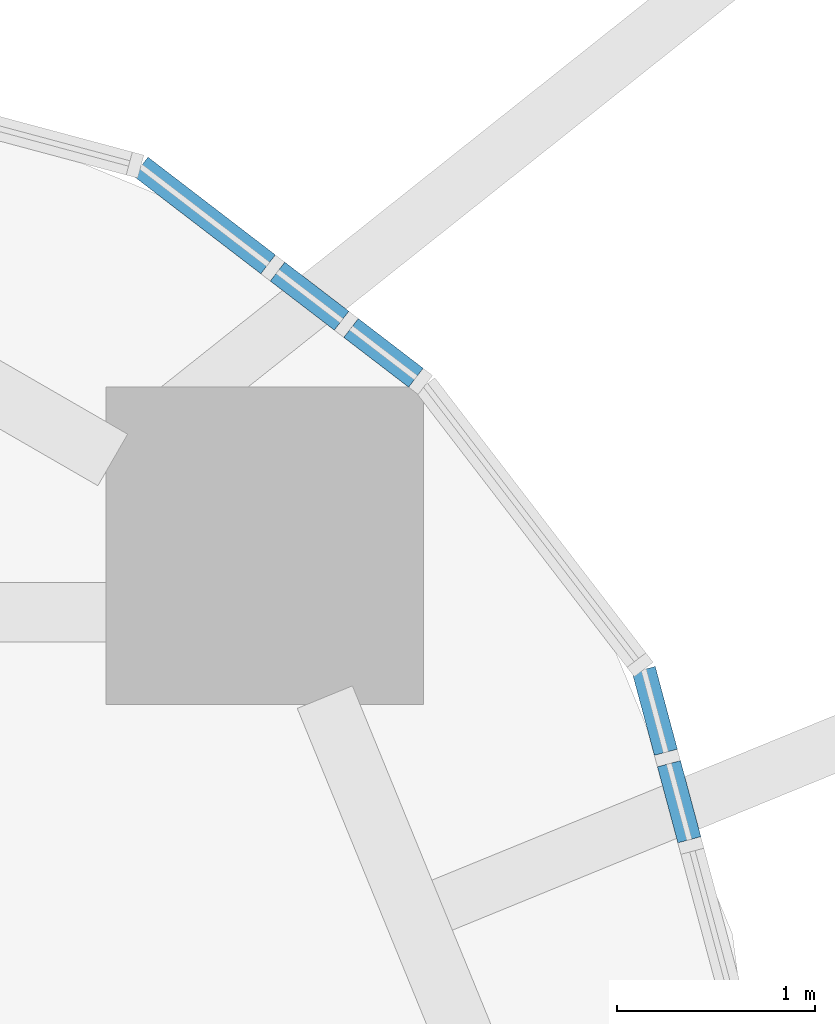
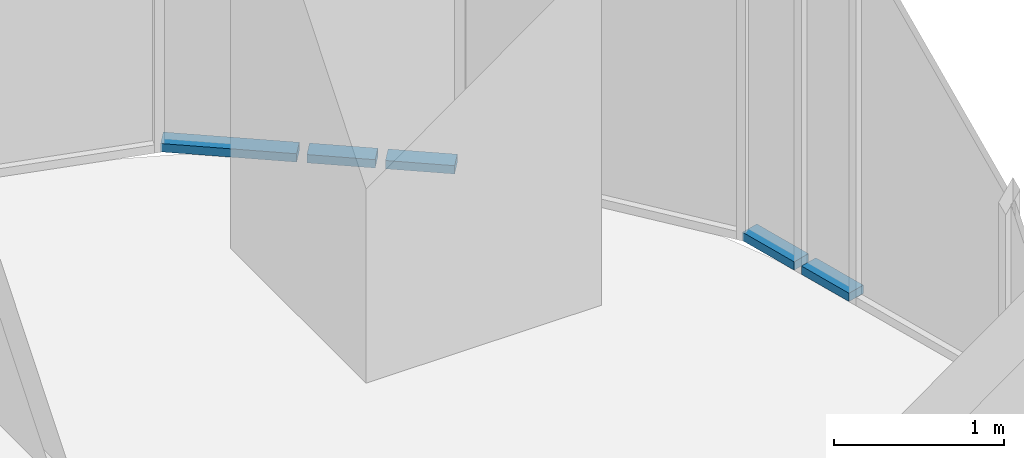
# One storey, part 18 of 36: 5 members, 5 elements without a shape of their own.
"""IFC4 building model written with IfcOpenShell, lengths in metres."""

from ifc_helpers import new_model, si_unit, direction, frame, origin, origin_2d, place, context, subcontext, project, spatial, rectangle, extrude, material, layer, layer_set, material_profile, profile_set, type_object, element, aggregate, save


model = new_model("IFC4")

# Units and contexts
model_context = context("Model", 3, precision=1e-05, world=origin(), true_north=direction((0.0, 1.0)))
body_context = subcontext(model_context, "Body", "Model", "MODEL_VIEW")
ifc_project = project(units=[si_unit("LENGTHUNIT", "METRE"), si_unit("AREAUNIT", "SQUARE_METRE"), si_unit("VOLUMEUNIT", "CUBIC_METRE"), si_unit("PLANEANGLEUNIT", "RADIAN"), si_unit("MASSUNIT", "GRAM", prefix="KILO")], contexts=[model_context])

# Site, building, storey
site_placement = place(None, origin())
site = spatial("IfcSite", under=ifc_project, at=site_placement, CompositionType="ELEMENT")
building_placement = place(site_placement, origin())
building = spatial("IfcBuilding", under=site, at=building_placement, Name="Marenta Gate Hotel Tower", CompositionType="ELEMENT")
storey_placement = place(building_placement, frame((0.0, 0.0, 115.699951171875)))
storey = spatial("IfcBuildingStorey", under=building, at=storey_placement, Name="L25", CompositionType="ELEMENT", Elevation=115.699951171875)

# Curtain wall, member
ifc_material_1 = material(Name="Tinted insulated glass in bronze anodised frame", Category="glass")
ifc_layer = layer(ifc_material_1, 0.1201171875)
ifc_layer_set = layer_set([ifc_layer], Name="Tinted insulated glass in bronze anodised frame")
curtain_wall_type = type_object("IfcCurtainWallType", Name="Tower unitised curtain wall CW1", PredefinedType="NOTDEFINED", material=ifc_layer_set)
curtain_wall_1_placement = place(storey_placement, origin())
curtain_wall_1 = element("IfcCurtainWall", 1, at=curtain_wall_1_placement, inside=storey, type_object=curtain_wall_type, Name="CW1 run G37", PredefinedType="NOTDEFINED")
ifc_material_2 = material(Name="Bronze anodised aluminium", Category="aluminium")
ifc_material_profile = material_profile(ifc_material_2, rectangle(XDim=0.1201171875, YDim=0.06005859375, at=origin_2d()), Name="Transom CW1 60x120 bronze anodised aluminium")
ifc_profile_set = profile_set([ifc_material_profile], Name="Bronze anodised aluminium")
member_type = type_object("IfcMemberType", Name="Transom CW1 60x120 bronze anodised aluminium", PredefinedType="USERDEFINED", material=ifc_profile_set)
member_1_placement = place(storey_placement, frame((26.97607421875, 24.053466796875, 0.030029296875), z_axis=(-0.259156577662, 0.965835321499, 0.0), x_axis=(-0.965835321499, -0.259156577662, 0.0)))
member_1 = element("IfcMember", 2, at=member_1_placement, type_object=member_type, Name="CW1 transom 1.1", ObjectType="TRANSOM", PredefinedType="USERDEFINED", context=body_context, shape_type="SweptSolid", body=[
    extrude(rectangle(XDim=0.1201171875, YDim=0.06005859375, at=origin_2d()), origin(), (0.0, 0.0, 1.0), 0.396728515625),
])
aggregate(curtain_wall_1, [member_1])

curtain_wall_2_placement = place(storey_placement, origin())
curtain_wall_2 = element("IfcCurtainWall", 3, at=curtain_wall_2_placement, inside=storey, type_object=curtain_wall_type, Name="CW1 run G38", PredefinedType="NOTDEFINED")
member_2_placement = place(storey_placement, frame((26.857666015625, 24.49462890625, 0.030029296875), z_axis=(-0.258613509278, 0.965980876011, 0.0), x_axis=(-0.965980876011, -0.258613509278, 0.0)))
member_2 = element("IfcMember", 4, at=member_2_placement, type_object=member_type, Name="CW1 transom 1.1", ObjectType="TRANSOM", PredefinedType="USERDEFINED", context=body_context, shape_type="SweptSolid", body=[
    extrude(rectangle(XDim=0.1201171875, YDim=0.06005859375, at=origin_2d()), origin(), (0.0, 0.0, 1.0), 0.431396484375),
])
aggregate(curtain_wall_2, [member_2])

curtain_wall_3_placement = place(storey_placement, origin())
curtain_wall_3 = element("IfcCurtainWall", 5, at=curtain_wall_3_placement, inside=storey, type_object=curtain_wall_type, Name="CW1 run G40", PredefinedType="NOTDEFINED")
member_3_placement = place(storey_placement, frame((25.597900390625, 26.382080078125, 0.030029296875), z_axis=(-0.793482352244, 0.608593260459, 0.0), x_axis=(-0.608593260459, -0.793482352244, 0.0)))
member_3 = element("IfcMember", 6, at=member_3_placement, type_object=member_type, Name="CW1 transom 1.1", ObjectType="TRANSOM", PredefinedType="USERDEFINED", context=body_context, shape_type="SweptSolid", body=[
    extrude(rectangle(XDim=0.1201171875, YDim=0.06005859375, at=origin_2d()), origin(), (0.0, 0.0, 1.0), 0.411865234375),
])
aggregate(curtain_wall_3, [member_3])

curtain_wall_4_placement = place(storey_placement, origin())
curtain_wall_4 = element("IfcCurtainWall", 7, at=curtain_wall_4_placement, inside=storey, type_object=curtain_wall_type, Name="CW1 run G41", PredefinedType="NOTDEFINED")
member_4_placement = place(storey_placement, frame((25.223388671875, 26.66943359375, 0.030029296875), z_axis=(-0.793471096038, 0.608607935992, 0.0), x_axis=(-0.608607935992, -0.793471096038, 0.0)))
member_4 = element("IfcMember", 8, at=member_4_placement, type_object=member_type, Name="CW1 transom 1.1", ObjectType="TRANSOM", PredefinedType="USERDEFINED", context=body_context, shape_type="SweptSolid", body=[
    extrude(rectangle(XDim=0.1201171875, YDim=0.06005859375, at=origin_2d()), origin(), (0.0, 0.0, 1.0), 0.40673828125),
])
aggregate(curtain_wall_4, [member_4])

curtain_wall_5_placement = place(storey_placement, origin())
curtain_wall_5 = element("IfcCurtainWall", 9, at=curtain_wall_5_placement, inside=storey, type_object=curtain_wall_type, Name="CW1 run G42", PredefinedType="NOTDEFINED")
member_5_placement = place(storey_placement, frame((24.85302734375, 26.95361328125, 0.030029296875), z_axis=(-0.793397450201, 0.608703939542, 0.0), x_axis=(-0.608703939542, -0.793397450201, 0.0)))
member_5 = element("IfcMember", 10, at=member_5_placement, type_object=member_type, Name="CW1 transom 1.1", ObjectType="TRANSOM", PredefinedType="USERDEFINED", context=body_context, shape_type="SweptSolid", body=[
    extrude(rectangle(XDim=0.1201171875, YDim=0.06005859375, at=origin_2d()), origin(), (0.0, 0.0, 1.0), 0.80908203125),
])
aggregate(curtain_wall_5, [member_5])

save(model, "model.ifc")
